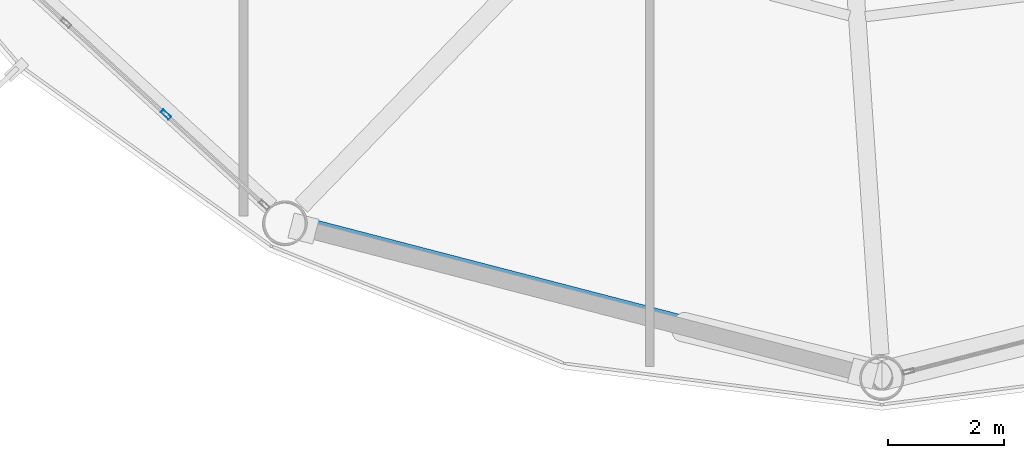
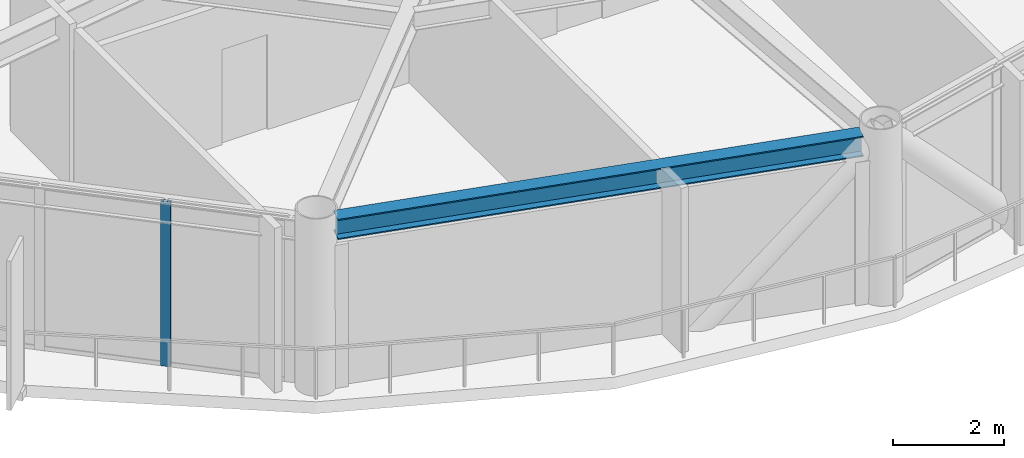
# One storey, part 3 of 26: 1 beam, 1 member, 1 element without a shape of its own.
"""IFC4 building model written with IfcOpenShell, lengths in metres."""

from ifc_helpers import new_model, si_unit, direction, frame, origin, origin_2d, place, context, subcontext, project, spatial, hollow_rectangle, i_section, extrude, material, layer, layer_set, material_profile, profile_set, type_object, element, aggregate, save


model = new_model("IFC4")

# Units and contexts
model_context = context("Model", 3, precision=1e-05, world=origin(), true_north=direction((0.0, 1.0)))
body_context = subcontext(model_context, "Body", "Model", "MODEL_VIEW")
ifc_project = project(units=[si_unit("LENGTHUNIT", "METRE"), si_unit("AREAUNIT", "SQUARE_METRE"), si_unit("VOLUMEUNIT", "CUBIC_METRE"), si_unit("PLANEANGLEUNIT", "RADIAN"), si_unit("MASSUNIT", "GRAM", prefix="KILO")], contexts=[model_context])

# Site, building, storey
site_placement = place(None, origin())
site = spatial("IfcSite", under=ifc_project, at=site_placement, CompositionType="ELEMENT")
building_placement = place(site_placement, origin())
building = spatial("IfcBuilding", under=site, at=building_placement, Name="Varnakorn Sky Granary", CompositionType="ELEMENT")
storey_placement = place(building_placement, frame((0.0, 0.0, 153.89990234375)))
storey = spatial("IfcBuildingStorey", under=building, at=storey_placement, Name="L38", CompositionType="ELEMENT", Elevation=153.89990234375)

# Beam
ifc_material_1 = material(Name="Steel S355JR", Category="steel")
ifc_material_profile_1 = material_profile(ifc_material_1, i_section(OverallWidth=0.300048828125, OverallDepth=0.449951171875, WebThickness=0.013916015625, FlangeThickness=0.02587890625, at=origin_2d()), Name="HE 450 B")
ifc_profile_set_1 = profile_set([ifc_material_profile_1], Name="Steel S355JR")
beam_type = type_object("IfcBeamType", Name="BM-SPD-Z3", PredefinedType="SPANDREL", material=ifc_profile_set_1)
beam_placement = place(storey_placement, frame((-11.4033203125, -16.42333984375, 3.4150390625), z_axis=(0.967945219838, -0.251161405061, 0.0), x_axis=(0.251161405061, 0.967945219838, 0.0)))
element("IfcBeam", 1, at=beam_placement, inside=storey, type_object=beam_type, Name="Perimeter Spandrel Ring Beam RB09 L38", PredefinedType="SPANDREL", context=body_context, shape_type="SweptSolid", body=[
    extrude(i_section(OverallWidth=0.300048828125, OverallDepth=0.449951171875, WebThickness=0.013916015625, FlangeThickness=0.02587890625, at=origin_2d()), origin(), (0.0, 0.0, 1.0), 9.865234375),
])

# Curtain wall, member
ifc_material_2 = material(Name="Anodised Bronze Aluminium Alloy 6063-T6", Category="aluminium")
ifc_layer = layer(ifc_material_2, 0.179931640625, Name="Anodised Bronze Aluminium Alloy 6063-T6")
ifc_layer_set = layer_set([ifc_layer], Name="Anodised Bronze Aluminium Alloy 6063-T6")
curtain_wall_type = type_object("IfcCurtainWallType", Name="CW-FRM-2", PredefinedType="USERDEFINED", material=ifc_layer_set)
curtain_wall_placement = place(storey_placement, origin())
curtain_wall = element("IfcCurtainWall", 2, at=curtain_wall_placement, inside=storey, type_object=curtain_wall_type, Name="Unitised Curtain Wall CW4 CW-L38-B08", ObjectType="CURTAIN WALL", PredefinedType="USERDEFINED")
ifc_material_profile_2 = material_profile(ifc_material_2, hollow_rectangle(XDim=0.070068359375, YDim=0.18505859375, WallThickness=0.00390625, at=origin_2d()), Name="ALU MULL 70x185")
ifc_profile_set_2 = profile_set([ifc_material_profile_2], Name="Anodised Bronze Aluminium Alloy 6063-T6")
member_type = type_object("IfcMemberType", Name="CW-FRM-2-MULL", PredefinedType="MULLION", material=ifc_profile_set_2)
member_placement = place(storey_placement, frame((-13.836669921875, -14.4931640625, 0.0), z_axis=(0.0, 0.0, 1.0), x_axis=(-0.676471797865, -0.736468537477, 0.0)))
member = element("IfcMember", 3, at=member_placement, type_object=member_type, Name="CW4 mullion 2", PredefinedType="MULLION", context=body_context, shape_type="SweptSolid", body=[
    extrude(hollow_rectangle(XDim=0.070068359375, YDim=0.18505859375, WallThickness=0.00390625, at=origin_2d()), origin(), (0.0, 0.0, 1.0), 3.64013671875),
])
aggregate(curtain_wall, [member])

save(model, "model.ifc")
